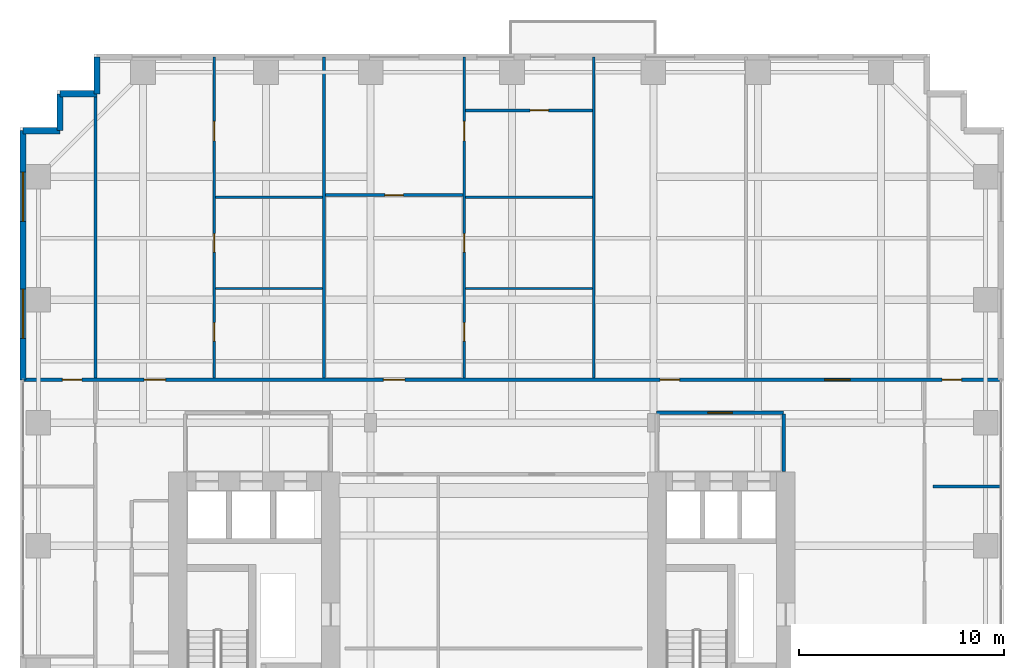
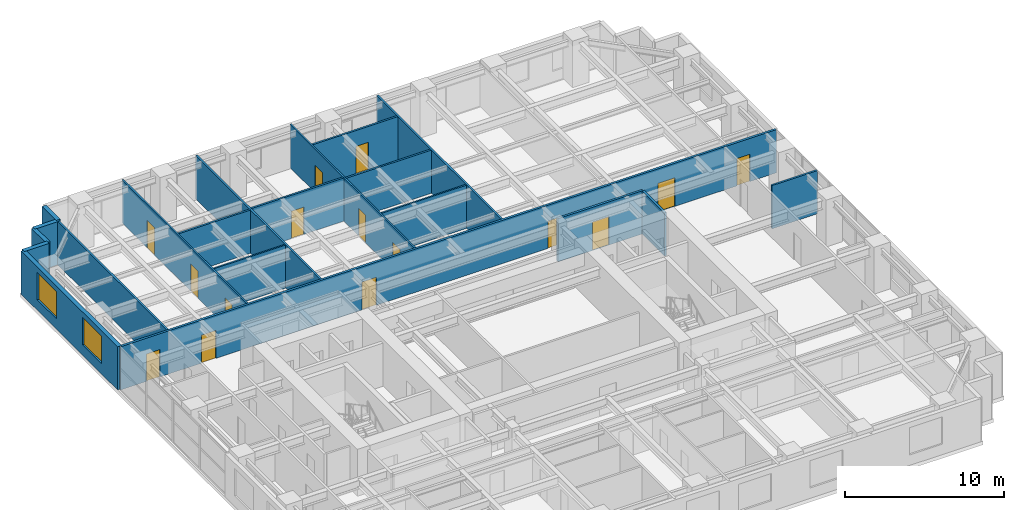
# One storey, part 14 of 19: 20 walls, 15 doors, 2 windows, 17 openings.
"""IFC4 building model written with IfcOpenShell, lengths in metres."""

from ifc_helpers import new_model, si_unit, direction, frame, frame_2d, origin, place, context, subcontext, project, spatial, rectangle, extrude, source, transform, mapped, material, layer, layer_set, type_object, element, fill, save


model = new_model("IFC4")

# Units and contexts
model_context = context("Model", 3, precision=1e-05, world=origin(), true_north=direction((0.0, 1.0)))
body_context = subcontext(model_context, "Body", "Model", "MODEL_VIEW")
ifc_project = project(units=[si_unit("LENGTHUNIT", "METRE"), si_unit("AREAUNIT", "SQUARE_METRE"), si_unit("VOLUMEUNIT", "CUBIC_METRE"), si_unit("PLANEANGLEUNIT", "RADIAN"), si_unit("MASSUNIT", "GRAM", prefix="KILO")], contexts=[model_context])

# Site, building, storey
site_placement = place(None, origin())
site = spatial("IfcSite", under=ifc_project, at=site_placement, CompositionType="ELEMENT")
building_placement = place(site_placement, origin())
building = spatial("IfcBuilding", under=site, at=building_placement, Name="Khoralis Quay Care Tower", CompositionType="ELEMENT")
storey_placement = place(building_placement, frame((0.0, 0.0, 69.300048828125)))
storey = spatial("IfcBuildingStorey", under=building, at=storey_placement, Name="L18", CompositionType="ELEMENT", Elevation=69.300048828125)

# Wall, opening, door
ifc_material_1 = material(Name="Gypsum plasterboard on acoustic metal stud")
ifc_layer_1 = layer(ifc_material_1, 0.1650390625)
ifc_layer_set_1 = layer_set([ifc_layer_1], Name="Gypsum plasterboard on acoustic metal stud")
wall_type_1 = type_object("IfcWallType", Name="WL-CORR-165", PredefinedType="PARTITIONING", material=ifc_layer_set_1)
wall_1_placement = place(storey_placement, frame((31.050048828125, 30.5, 0.0), z_axis=(0.0, 0.0, 1.0), x_axis=(1.0, 0.0, 0.0)))
wall_1 = element("IfcWall", 1, at=wall_1_placement, inside=storey, type_object=wall_type_1, Name="L18 East Lift Lobby North Wall", PredefinedType="PARTITIONING", context=body_context, shape_type="SweptSolid", body=[
    extrude(rectangle(XDim=6.199951171875, YDim=0.1650390625, at=frame_2d((3.10009765625, 0.0))), origin(), (0.0, 0.0, 1.0), 3.320068359375),
])
opening_1_placement = place(wall_1_placement, frame((2.5, 0.0, 0.0)))
opening_1 = element("IfcOpeningElement", 2, at=opening_1_placement, cuts=wall_1, Name="Opening FD1", PredefinedType="OPENING", context=body_context, shape_type="SweptSolid", body=[
    extrude(rectangle(XDim=1.199951171875, YDim=2.199951171875, at=frame_2d((0.60009765625, 1.10009765625))), frame((0.0, 0.092529296875, 0.0), z_axis=(0.0, -1.0, 0.0), x_axis=(1.0, 0.0, 0.0)), (0.0, 0.0, 1.0), 0.18505859375),
])
ifc_material_2 = material(Name="Fire-rated painted steel", Category="steel")
door_type_1 = type_object("IfcDoorType", Name="DR-FFL-1200X2200", OperationType="NOTDEFINED", PredefinedType="DOOR", material=ifc_material_2)
shared_shape_1 = source(origin(), body_context, "Body", "SweptSolid", [
    extrude(rectangle(XDim=1.199951171875, YDim=2.199951171875, at=frame_2d((0.60009765625, 1.10009765625))), frame((0.0, 0.02490234375, 0.0), z_axis=(0.0, -1.0, 0.0), x_axis=(1.0, 0.0, 0.0)), (0.0, 0.0, 1.0), 0.050048828125),
])
door_1_placement = place(opening_1_placement, origin())
door_1 = element("IfcDoor", 3, at=door_1_placement, inside=storey, type_object=door_type_1, Name="L18 East Lift Lobby Double Door", OperationType="DOUBLE_DOOR_SINGLE_SWING", OverallHeight=2.199951171875, OverallWidth=1.199951171875, PredefinedType="DOOR", context=body_context, shape_type="MappedRepresentation", body=[
    mapped(shared_shape_1, transform((0.0, 0.0, 0.0), scale=1.0)),
])
fill(opening_1, door_1)

# Wall
wall_2_placement = place(storey_placement, frame((37.25, 27.6201171875, 0.0), z_axis=(0.0, 0.0, 1.0), x_axis=(0.0, 1.0, 0.0)))
element("IfcWall", 4, at=wall_2_placement, inside=storey, type_object=wall_type_1, Name="L18 East Lift Lobby East Wall", PredefinedType="PARTITIONING", context=body_context, shape_type="SweptSolid", body=[
    extrude(rectangle(XDim=2.802490234375, YDim=0.1650390625, at=frame_2d((1.4013671875, 0.0))), origin(), (0.0, 0.0, 1.0), 3.320068359375),
])

# Wall, openings, doors
wall_3_placement = place(storey_placement, frame((0.14501953125, 32.10009765625, 0.0), z_axis=(0.0, 0.0, 1.0), x_axis=(1.0, 0.0, 0.0)))
wall_3 = element("IfcWall", 5, at=wall_3_placement, inside=storey, type_object=wall_type_1, Name="L18 North Main Corridor Wall", PredefinedType="PARTITIONING", context=body_context, shape_type="SweptSolid", body=[
    extrude(rectangle(XDim=47.7099609375, YDim=0.1650390625, at=frame_2d((23.85498046875, 0.0))), origin(), (0.0, 0.0, 1.0), 3.320068359375),
])
opening_2_placement = place(wall_3_placement, frame((5.908935546875, 0.0, 0.0)))
opening_2 = element("IfcOpeningElement", 6, at=opening_2_placement, cuts=wall_3, Name="Opening UD1", PredefinedType="OPENING", context=body_context, shape_type="SweptSolid", body=[
    extrude(rectangle(XDim=1.050048828125, YDim=2.14990234375, at=frame_2d((0.52490234375, 1.074951171875))), frame((0.0, 0.092529296875, 0.0), z_axis=(0.0, -1.0, 0.0), x_axis=(1.0, 0.0, 0.0)), (0.0, 0.0, 1.0), 0.18505859375),
])
opening_3_placement = place(wall_3_placement, frame((17.58154296875, 0.0, 0.0)))
opening_3 = element("IfcOpeningElement", 7, at=opening_3_placement, cuts=wall_3, Name="Opening UD1", PredefinedType="OPENING", context=body_context, shape_type="SweptSolid", body=[
    extrude(rectangle(XDim=1.050048828125, YDim=2.14990234375, at=frame_2d((0.52490234375, 1.074951171875))), frame((0.0, 0.092529296875, 0.0), z_axis=(0.0, -1.0, 0.0), x_axis=(1.0, 0.0, 0.0)), (0.0, 0.0, 1.0), 0.18505859375),
])
opening_4_placement = place(wall_3_placement, frame((31.0849609375, 0.0, 0.0)))
opening_4 = element("IfcOpeningElement", 8, at=opening_4_placement, cuts=wall_3, Name="Opening ID1", PredefinedType="OPENING", context=body_context, shape_type="SweptSolid", body=[
    extrude(rectangle(XDim=0.949951171875, YDim=2.10009765625, at=frame_2d((0.47509765625, 1.050048828125))), frame((0.0, 0.092529296875, 0.0), z_axis=(0.0, -1.0, 0.0), x_axis=(1.0, 0.0, 0.0)), (0.0, 0.0, 1.0), 0.18505859375),
])
opening_5_placement = place(wall_3_placement, frame((39.10009765625, 0.0, 0.0)))
opening_5 = element("IfcOpeningElement", 9, at=opening_5_placement, cuts=wall_3, Name="Opening CD1", PredefinedType="OPENING", context=body_context, shape_type="SweptSolid", body=[
    extrude(rectangle(XDim=1.25, YDim=2.199951171875, at=frame_2d((0.625, 1.10009765625))), frame((0.0, 0.092529296875, 0.0), z_axis=(0.0, -1.0, 0.0), x_axis=(1.0, 0.0, 0.0)), (0.0, 0.0, 1.0), 0.18505859375),
])
opening_6_placement = place(wall_3_placement, frame((1.919921875, 0.0, 0.0)))
opening_6 = element("IfcOpeningElement", 10, at=opening_6_placement, cuts=wall_3, Name="Opening ID1", PredefinedType="OPENING", context=body_context, shape_type="SweptSolid", body=[
    extrude(rectangle(XDim=0.949951171875, YDim=2.10009765625, at=frame_2d((0.47509765625, 1.050048828125))), frame((0.0, 0.092529296875, 0.0), z_axis=(0.0, -1.0, 0.0), x_axis=(1.0, 0.0, 0.0)), (0.0, 0.0, 1.0), 0.18505859375),
])
opening_7_placement = place(wall_3_placement, frame((44.840087890625, 0.0, 0.0)))
opening_7 = element("IfcOpeningElement", 11, at=opening_7_placement, cuts=wall_3, Name="Opening ID1", PredefinedType="OPENING", context=body_context, shape_type="SweptSolid", body=[
    extrude(rectangle(XDim=0.949951171875, YDim=2.10009765625, at=frame_2d((0.47509765625, 1.050048828125))), frame((0.0, 0.092529296875, 0.0), z_axis=(0.0, -1.0, 0.0), x_axis=(1.0, 0.0, 0.0)), (0.0, 0.0, 1.0), 0.18505859375),
])
ifc_material_3 = material(Name="Acoustic hardwood timber", Category="wood")
door_type_2 = type_object("IfcDoorType", Name="DR-CARE-1250X2200", OperationType="NOTDEFINED", PredefinedType="DOOR", material=ifc_material_3)
shared_shape_2 = source(origin(), body_context, "Body", "SweptSolid", [
    extrude(rectangle(XDim=1.25, YDim=2.199951171875, at=frame_2d((0.625, 1.10009765625))), frame((0.0, 0.02490234375, 0.0), z_axis=(0.0, -1.0, 0.0), x_axis=(1.0, 0.0, 0.0)), (0.0, 0.0, 1.0), 0.050048828125),
])
door_2_placement = place(opening_5_placement, origin())
door_2 = element("IfcDoor", 12, at=door_2_placement, inside=storey, type_object=door_type_2, Name="L18 Geriatric Consultation Clinic Door", OperationType="SINGLE_SWING_LEFT", OverallHeight=2.199951171875, OverallWidth=1.25, PredefinedType="DOOR", context=body_context, shape_type="MappedRepresentation", body=[
    mapped(shared_shape_2, transform((0.0, 0.0, 0.0), scale=1.0)),
])
fill(opening_5, door_2)
door_type_3 = type_object("IfcDoorType", Name="DR-ROOM-950X2100", OperationType="NOTDEFINED", PredefinedType="DOOR", material=ifc_material_3)
shared_shape_3 = source(origin(), body_context, "Body", "SweptSolid", [
    extrude(rectangle(XDim=0.949951171875, YDim=2.10009765625, at=frame_2d((0.47509765625, 1.050048828125))), frame((0.0, 0.02490234375, 0.0), z_axis=(0.0, -1.0, 0.0), x_axis=(1.0, 0.0, 0.0)), (0.0, 0.0, 1.0), 0.050048828125),
])
door_3_placement = place(opening_4_placement, origin())
door_3 = element("IfcDoor", 13, at=door_3_placement, inside=storey, type_object=door_type_3, Name="L18 Family Case Conference Room Door", OperationType="SINGLE_SWING_LEFT", OverallHeight=2.10009765625, OverallWidth=0.949951171875, PredefinedType="DOOR", context=body_context, shape_type="MappedRepresentation", body=[
    mapped(shared_shape_3, transform((0.0, 0.0, 0.0), scale=1.0)),
])
fill(opening_4, door_3)
door_4_placement = place(opening_6_placement, origin())
door_4 = element("IfcDoor", 14, at=door_4_placement, inside=storey, type_object=door_type_3, Name="L18 NW Corner Door", OperationType="SINGLE_SWING_RIGHT", OverallHeight=2.10009765625, OverallWidth=0.949951171875, PredefinedType="DOOR", context=body_context, shape_type="MappedRepresentation", body=[
    mapped(shared_shape_3, transform((0.0, 0.0, 0.0), scale=1.0)),
])
fill(opening_6, door_4)
door_5_placement = place(opening_7_placement, origin())
door_5 = element("IfcDoor", 15, at=door_5_placement, inside=storey, type_object=door_type_3, Name="L18 NE Corner Door", OperationType="SINGLE_SWING_LEFT", OverallHeight=2.10009765625, OverallWidth=0.949951171875, PredefinedType="DOOR", context=body_context, shape_type="MappedRepresentation", body=[
    mapped(shared_shape_3, transform((0.0, 0.0, 0.0), scale=1.0)),
])
fill(opening_7, door_5)
door_type_4 = type_object("IfcDoorType", Name="DR-SUITE-1050X2150", OperationType="NOTDEFINED", PredefinedType="DOOR", material=ifc_material_3)
shared_shape_4 = source(origin(), body_context, "Body", "SweptSolid", [
    extrude(rectangle(XDim=1.050048828125, YDim=2.14990234375, at=frame_2d((0.52490234375, 1.074951171875))), frame((0.0, 0.02490234375, 0.0), z_axis=(0.0, -1.0, 0.0), x_axis=(1.0, 0.0, 0.0)), (0.0, 0.0, 1.0), 0.050048828125),
])
door_6_placement = place(opening_2_placement, origin())
door_6 = element("IfcDoor", 16, at=door_6_placement, inside=storey, type_object=door_type_4, Name="L18 Apartment NB0 Entrance Door", OperationType="SINGLE_SWING_RIGHT", OverallHeight=2.14990234375, OverallWidth=1.050048828125, PredefinedType="DOOR", context=body_context, shape_type="MappedRepresentation", body=[
    mapped(shared_shape_4, transform((0.0, 0.0, 0.0), scale=1.0)),
])
fill(opening_2, door_6)
door_7_placement = place(opening_3_placement, origin())
door_7 = element("IfcDoor", 17, at=door_7_placement, inside=storey, type_object=door_type_4, Name="L18 Apartment NB1 Entrance Door", OperationType="SINGLE_SWING_LEFT", OverallHeight=2.14990234375, OverallWidth=1.050048828125, PredefinedType="DOOR", context=body_context, shape_type="MappedRepresentation", body=[
    mapped(shared_shape_4, transform((0.0, 0.0, 0.0), scale=1.0)),
])
fill(opening_3, door_7)

# Walls
ifc_material_4 = material(Name="Precast concrete C45/55", Category="concrete")
ifc_layer_2 = layer(ifc_material_4, 0.300048828125)
ifc_layer_set_2 = layer_set([ifc_layer_2], Name="Precast concrete C45/55")
wall_type_2 = type_object("IfcWallType", Name="WL-EXT-REF-300", PredefinedType="SOLIDWALL", material=ifc_layer_set_2)
for number, where, z_axis, x_axis, name in (
    (18, (3.75, 47.85009765625, 0.0), (0.0, 0.0, 1.0), (0.0, -1.0, 0.0), "L18 External Facade Wall WL-EXT-L18-P1-C11"),
    (19, (3.75, 46.050048828125, 0.0), (0.0, 0.0, 1.0), (-1.0, 0.0, 0.0), "L18 External Facade Wall WL-EXT-L18-P1-C12"),
    (20, (1.949951171875, 46.050048828125, 0.0), (0.0, 0.0, 1.0), (0.0, -1.0, 0.0), "L18 External Facade Wall WL-EXT-L18-P1-C13"),
    (21, (1.949951171875, 44.25, 0.0), (0.0, 0.0, 1.0), (-1.0, 0.0, 0.0), "L18 External Facade Wall WL-EXT-L18-P1-C14"),
):
    element("IfcWall", number, at=place(storey_placement, frame(where, z_axis=z_axis, x_axis=x_axis)), inside=storey, type_object=wall_type_2, Name=name, PredefinedType="SOLIDWALL", context=body_context, shape_type="SweptSolid", body=[
        extrude(rectangle(XDim=1.800048828125, YDim=0.300048828125, at=frame_2d((0.89990234375, 0.0))), origin(), (0.0, 0.0, 1.0), 3.320068359375),
    ])

# Wall, openings, windows
wall_4_placement = place(storey_placement, frame((0.14990234375, 44.25, 0.0), z_axis=(0.0, 0.0, 1.0), x_axis=(0.0, -1.0, 0.0)))
wall_4 = element("IfcWall", 22, at=wall_4_placement, inside=storey, type_object=wall_type_2, Name="L18 External Facade Wall WL-EXT-L18-P1-E15A", PredefinedType="SOLIDWALL", context=body_context, shape_type="SweptSolid", body=[
    extrude(rectangle(XDim=12.14990234375, YDim=0.300048828125, at=frame_2d((6.074951171875, 0.0))), origin(), (0.0, 0.0, 1.0), 3.320068359375),
])
opening_8_placement = place(wall_4_placement, frame((2.017578125, 0.0, 0.800048828125)))
opening_8 = element("IfcOpeningElement", 23, at=opening_8_placement, cuts=wall_4, Name="Opening W1", PredefinedType="OPENING", context=body_context, shape_type="SweptSolid", body=[
    extrude(rectangle(XDim=2.39990234375, YDim=2.10009765625, at=frame_2d((1.199951171875, 1.050048828125))), frame((0.0, 0.16015625, 0.0), z_axis=(0.0, -1.0, 0.0), x_axis=(1.0, 0.0, 0.0)), (0.0, 0.0, 1.0), 0.320068359375),
])
opening_9_placement = place(wall_4_placement, frame((7.732421875, 0.0, 0.800048828125)))
opening_9 = element("IfcOpeningElement", 24, at=opening_9_placement, cuts=wall_4, Name="Opening W1", PredefinedType="OPENING", context=body_context, shape_type="SweptSolid", body=[
    extrude(rectangle(XDim=2.39990234375, YDim=2.10009765625, at=frame_2d((1.199951171875, 1.050048828125))), frame((0.0, 0.16015625, 0.0), z_axis=(0.0, -1.0, 0.0), x_axis=(1.0, 0.0, 0.0)), (0.0, 0.0, 1.0), 0.320068359375),
])
ifc_material_5 = material(Name="Low-E solar-control double glazing", Category="glass")
window_type = type_object("IfcWindowType", Name="WN-POD-2400X2100", PartitioningType="SINGLE_PANEL", PredefinedType="WINDOW", material=ifc_material_5)
shared_shape_5 = source(origin(), body_context, "Body", "SweptSolid", [
    extrude(rectangle(XDim=2.39990234375, YDim=2.10009765625, at=frame_2d((1.199951171875, 1.050048828125))), frame((0.0, 0.030029296875, 0.0), z_axis=(0.0, -1.0, 0.0), x_axis=(1.0, 0.0, 0.0)), (0.0, 0.0, 1.0), 0.06005859375),
])
window_1_placement = place(opening_8_placement, origin())
window_1 = element("IfcWindow", 25, at=window_1_placement, inside=storey, type_object=window_type, Name="WN-L18-P1-E15A Facade Window 01", OverallHeight=2.10009765625, OverallWidth=2.39990234375, PartitioningType="SINGLE_PANEL", PredefinedType="WINDOW", context=body_context, shape_type="MappedRepresentation", body=[
    mapped(shared_shape_5, transform((0.0, 0.0, 0.0), scale=1.0)),
])
fill(opening_8, window_1)
window_2_placement = place(opening_9_placement, origin())
window_2 = element("IfcWindow", 26, at=window_2_placement, inside=storey, type_object=window_type, Name="WN-L18-P1-E15A Facade Window 02", OverallHeight=2.10009765625, OverallWidth=2.39990234375, PartitioningType="SINGLE_PANEL", PredefinedType="WINDOW", context=body_context, shape_type="MappedRepresentation", body=[
    mapped(shared_shape_5, transform((0.0, 0.0, 0.0), scale=1.0)),
])
fill(opening_9, window_2)

# Wall, openings, doors
ifc_layer_3 = layer(ifc_material_1, 0.114990234375)
ifc_layer_set_3 = layer_set([ifc_layer_3], Name="Gypsum plasterboard on acoustic metal stud")
wall_type_3 = type_object("IfcWallType", Name="WL-PART-115", PredefinedType="PARTITIONING", material=ifc_layer_set_3)
wall_5_placement = place(storey_placement, frame((9.47802734375, 32.177490234375, 0.0), z_axis=(0.0, 0.0, 1.0), x_axis=(0.0, 1.0, 0.0)))
wall_5 = element("IfcWall", 27, at=wall_5_placement, inside=storey, type_object=wall_type_3, Name="L18 Unit 0 Internal Wall", PredefinedType="PARTITIONING", context=body_context, shape_type="SweptSolid", body=[
    extrude(rectangle(XDim=15.677490234375, YDim=0.114990234375, at=frame_2d((7.8388671875, 0.0))), origin(), (0.0, 0.0, 1.0), 3.320068359375),
])
opening_10_placement = place(wall_5_placement, frame((11.574462890625, 0.0, 0.0)))
opening_10 = element("IfcOpeningElement", 28, at=opening_10_placement, cuts=wall_5, Name="Opening ID1", PredefinedType="OPENING", context=body_context, shape_type="SweptSolid", body=[
    extrude(rectangle(XDim=0.949951171875, YDim=2.10009765625, at=frame_2d((0.47509765625, 1.050048828125))), frame((0.0, 0.0673828125, 0.0), z_axis=(0.0, -1.0, 0.0), x_axis=(1.0, 0.0, 0.0)), (0.0, 0.0, 1.0), 0.135009765625),
])
opening_11_placement = place(wall_5_placement, frame((6.150390625, 0.0, 0.0)))
opening_11 = element("IfcOpeningElement", 29, at=opening_11_placement, cuts=wall_5, Name="Opening WD1", PredefinedType="OPENING", context=body_context, shape_type="SweptSolid", body=[
    extrude(rectangle(XDim=0.89990234375, YDim=2.10009765625, at=frame_2d((0.449951171875, 1.050048828125))), frame((0.0, 0.0673828125, 0.0), z_axis=(0.0, -1.0, 0.0), x_axis=(1.0, 0.0, 0.0)), (0.0, 0.0, 1.0), 0.135009765625),
])
opening_12_placement = place(wall_5_placement, frame((1.8134765625, 0.0, 0.0)))
opening_12 = element("IfcOpeningElement", 30, at=opening_12_placement, cuts=wall_5, Name="Opening WD1", PredefinedType="OPENING", context=body_context, shape_type="SweptSolid", body=[
    extrude(rectangle(XDim=0.89990234375, YDim=2.10009765625, at=frame_2d((0.449951171875, 1.050048828125))), frame((0.0, 0.0673828125, 0.0), z_axis=(0.0, -1.0, 0.0), x_axis=(1.0, 0.0, 0.0)), (0.0, 0.0, 1.0), 0.135009765625),
])
door_type_5 = type_object("IfcDoorType", Name="DR-BATH-900X2100", OperationType="NOTDEFINED", PredefinedType="DOOR", material=ifc_material_3)
shared_shape_6 = source(origin(), body_context, "Body", "SweptSolid", [
    extrude(rectangle(XDim=0.89990234375, YDim=2.10009765625, at=frame_2d((0.449951171875, 1.050048828125))), frame((0.0, 0.02490234375, 0.0), z_axis=(0.0, -1.0, 0.0), x_axis=(1.0, 0.0, 0.0)), (0.0, 0.0, 1.0), 0.050048828125),
])
door_8_placement = place(opening_11_placement, frame((0.89990234375, 0.0, 0.0), z_axis=(0.0, 0.0, 1.0), x_axis=(-1.0, 0.0, 0.0)))
door_8 = element("IfcDoor", 31, at=door_8_placement, inside=storey, type_object=door_type_5, Name="L18 Apartment NB0 KIT Door", OperationType="SINGLE_SWING_RIGHT", OverallHeight=2.10009765625, OverallWidth=0.89990234375, PredefinedType="DOOR", context=body_context, shape_type="MappedRepresentation", body=[
    mapped(shared_shape_6, transform((0.0, 0.0, 0.0), scale=1.0)),
])
fill(opening_11, door_8)
door_9_placement = place(opening_12_placement, frame((0.89990234375, 0.0, 0.0), z_axis=(0.0, 0.0, 1.0), x_axis=(-1.0, 0.0, 0.0)))
door_9 = element("IfcDoor", 32, at=door_9_placement, inside=storey, type_object=door_type_5, Name="L18 Apartment NB0 BTH Door", OperationType="SINGLE_SWING_LEFT", OverallHeight=2.10009765625, OverallWidth=0.89990234375, PredefinedType="DOOR", context=body_context, shape_type="MappedRepresentation", body=[
    mapped(shared_shape_6, transform((0.0, 0.0, 0.0), scale=1.0)),
])
fill(opening_12, door_9)
door_10_placement = place(opening_10_placement, frame((0.949951171875, 0.0, 0.0), z_axis=(0.0, 0.0, 1.0), x_axis=(-1.0, 0.0, 0.0)))
door_10 = element("IfcDoor", 33, at=door_10_placement, inside=storey, type_object=door_type_3, Name="L18 Apartment NB0 BED Door", OperationType="SINGLE_SWING_LEFT", OverallHeight=2.10009765625, OverallWidth=0.949951171875, PredefinedType="DOOR", context=body_context, shape_type="MappedRepresentation", body=[
    mapped(shared_shape_3, transform((0.0, 0.0, 0.0), scale=1.0)),
])
fill(opening_10, door_10)

# Wall
wall_6_placement = place(storey_placement, frame((9.530517578125, 36.552001953125, 0.0), z_axis=(0.0, 0.0, 1.0), x_axis=(1.0, 0.0, 0.0)))
element("IfcWall", 34, at=wall_6_placement, inside=storey, type_object=wall_type_3, Name="L18 Unit 0 Kitchen Wall", PredefinedType="PARTITIONING", context=body_context, shape_type="SweptSolid", body=[
    extrude(rectangle(XDim=5.234375, YDim=0.114990234375, at=frame_2d((2.6171875, 0.0))), origin(), (0.0, 0.0, 1.0), 3.320068359375),
])

# Wall, openings, doors
wall_7_placement = place(storey_placement, frame((21.673095703125, 32.177490234375, 0.0), z_axis=(0.0, 0.0, 1.0), x_axis=(0.0, 1.0, 0.0)))
wall_7 = element("IfcWall", 35, at=wall_7_placement, inside=storey, type_object=wall_type_3, Name="L18 Unit 1 Internal Wall", PredefinedType="PARTITIONING", context=body_context, shape_type="SweptSolid", body=[
    extrude(rectangle(XDim=15.677490234375, YDim=0.114990234375, at=frame_2d((7.8388671875, 0.0))), origin(), (0.0, 0.0, 1.0), 3.320068359375),
])
opening_13_placement = place(wall_7_placement, frame((11.574462890625, 0.0, 0.0)))
opening_13 = element("IfcOpeningElement", 36, at=opening_13_placement, cuts=wall_7, Name="Opening ID1", PredefinedType="OPENING", context=body_context, shape_type="SweptSolid", body=[
    extrude(rectangle(XDim=0.949951171875, YDim=2.10009765625, at=frame_2d((0.47509765625, 1.050048828125))), frame((0.0, 0.0673828125, 0.0), z_axis=(0.0, -1.0, 0.0), x_axis=(1.0, 0.0, 0.0)), (0.0, 0.0, 1.0), 0.135009765625),
])
opening_14_placement = place(wall_7_placement, frame((6.150390625, 0.0, 0.0)))
opening_14 = element("IfcOpeningElement", 37, at=opening_14_placement, cuts=wall_7, Name="Opening WD1", PredefinedType="OPENING", context=body_context, shape_type="SweptSolid", body=[
    extrude(rectangle(XDim=0.89990234375, YDim=2.10009765625, at=frame_2d((0.449951171875, 1.050048828125))), frame((0.0, 0.0673828125, 0.0), z_axis=(0.0, -1.0, 0.0), x_axis=(1.0, 0.0, 0.0)), (0.0, 0.0, 1.0), 0.135009765625),
])
opening_15_placement = place(wall_7_placement, frame((1.8134765625, 0.0, 0.0)))
opening_15 = element("IfcOpeningElement", 38, at=opening_15_placement, cuts=wall_7, Name="Opening WD1", PredefinedType="OPENING", context=body_context, shape_type="SweptSolid", body=[
    extrude(rectangle(XDim=0.89990234375, YDim=2.10009765625, at=frame_2d((0.449951171875, 1.050048828125))), frame((0.0, 0.0673828125, 0.0), z_axis=(0.0, -1.0, 0.0), x_axis=(1.0, 0.0, 0.0)), (0.0, 0.0, 1.0), 0.135009765625),
])
door_11_placement = place(opening_14_placement, frame((0.89990234375, 0.0, 0.0), z_axis=(0.0, 0.0, 1.0), x_axis=(-1.0, 0.0, 0.0)))
door_11 = element("IfcDoor", 39, at=door_11_placement, inside=storey, type_object=door_type_5, Name="L18 Apartment NB1 KIT Door", OperationType="SINGLE_SWING_LEFT", OverallHeight=2.10009765625, OverallWidth=0.89990234375, PredefinedType="DOOR", context=body_context, shape_type="MappedRepresentation", body=[
    mapped(shared_shape_6, transform((0.0, 0.0, 0.0), scale=1.0)),
])
fill(opening_14, door_11)
door_12_placement = place(opening_15_placement, frame((0.89990234375, 0.0, 0.0), z_axis=(0.0, 0.0, 1.0), x_axis=(-1.0, 0.0, 0.0)))
door_12 = element("IfcDoor", 40, at=door_12_placement, inside=storey, type_object=door_type_5, Name="L18 Apartment NB1 BTH Door", OperationType="SINGLE_SWING_RIGHT", OverallHeight=2.10009765625, OverallWidth=0.89990234375, PredefinedType="DOOR", context=body_context, shape_type="MappedRepresentation", body=[
    mapped(shared_shape_6, transform((0.0, 0.0, 0.0), scale=1.0)),
])
fill(opening_15, door_12)
door_13_placement = place(opening_13_placement, frame((0.949951171875, 0.0, 0.0), z_axis=(0.0, 0.0, 1.0), x_axis=(-1.0, 0.0, 0.0)))
door_13 = element("IfcDoor", 41, at=door_13_placement, inside=storey, type_object=door_type_3, Name="L18 Apartment NB1 BED Door", OperationType="SINGLE_SWING_RIGHT", OverallHeight=2.10009765625, OverallWidth=0.949951171875, PredefinedType="DOOR", context=body_context, shape_type="MappedRepresentation", body=[
    mapped(shared_shape_3, transform((0.0, 0.0, 0.0), scale=1.0)),
])
fill(opening_13, door_13)

# Walls
wall_8_placement = place(storey_placement, frame((21.7255859375, 36.552001953125, 0.0), z_axis=(0.0, 0.0, 1.0), x_axis=(1.0, 0.0, 0.0)))
element("IfcWall", 42, at=wall_8_placement, inside=storey, type_object=wall_type_3, Name="L18 Unit 1 Kitchen Wall", PredefinedType="PARTITIONING", context=body_context, shape_type="SweptSolid", body=[
    extrude(rectangle(XDim=6.199462890625, YDim=0.114990234375, at=frame_2d((3.099609375, 0.0))), origin(), (0.0, 0.0, 1.0), 3.320068359375),
])
ifc_material_6 = material(Name="Moisture-resistant gypsum and ceramic tile")
ifc_layer_4 = layer(ifc_material_6, 0.280029296875)
ifc_layer_set_4 = layer_set([ifc_layer_4], Name="Moisture-resistant gypsum and ceramic tile")
wall_type_4 = type_object("IfcWallType", Name="WL-PLUMB-280", PredefinedType="PLUMBINGWALL", material=ifc_layer_set_4)
wall_9_placement = place(storey_placement, frame((9.530517578125, 41.00390625, 0.0), z_axis=(0.0, 0.0, 1.0), x_axis=(1.0, 0.0, 0.0)))
element("IfcWall", 43, at=wall_9_placement, inside=storey, type_object=wall_type_4, Name="L18 Unit 0 Wet Wall", PredefinedType="PLUMBINGWALL", context=body_context, shape_type="SweptSolid", body=[
    extrude(rectangle(XDim=5.234375, YDim=0.139892578125, at=frame_2d((2.6171875, 0.0))), origin(), (0.0, 0.0, 1.0), 3.320068359375),
])
wall_10_placement = place(storey_placement, frame((21.7255859375, 41.00390625, 0.0), z_axis=(0.0, 0.0, 1.0), x_axis=(1.0, 0.0, 0.0)))
element("IfcWall", 44, at=wall_10_placement, inside=storey, type_object=wall_type_4, Name="L18 Unit 1 Wet Wall", PredefinedType="PLUMBINGWALL", context=body_context, shape_type="SweptSolid", body=[
    extrude(rectangle(XDim=6.199462890625, YDim=0.139892578125, at=frame_2d((3.099609375, 0.0))), origin(), (0.0, 0.0, 1.0), 3.320068359375),
])
ifc_layer_5 = layer(ifc_material_1, 0.139892578125)
ifc_layer_set_5 = layer_set([ifc_layer_5], Name="Gypsum plasterboard on acoustic metal stud")
wall_type_5 = type_object("IfcWallType", Name="WL-UNIT-140", PredefinedType="PARTITIONING", material=ifc_layer_set_5)
wall_11_placement = place(storey_placement, frame((44.5400390625, 26.89990234375, 0.0), z_axis=(0.0, 0.0, 1.0), x_axis=(1.0, 0.0, 0.0)))
element("IfcWall", 45, at=wall_11_placement, inside=storey, type_object=wall_type_5, Name="L18 EE Divider 2", PredefinedType="PARTITIONING", context=body_context, shape_type="SweptSolid", body=[
    extrude(rectangle(XDim=3.31494140625, YDim=0.139892578125, at=frame_2d((1.657470703125, 0.0))), origin(), (0.0, 0.0, 1.0), 3.320068359375),
])
wall_12_placement = place(storey_placement, frame((3.679931640625, 32.177490234375, 0.0), z_axis=(0.0, 0.0, 1.0), x_axis=(0.0, 1.0, 0.0)))
element("IfcWall", 46, at=wall_12_placement, inside=storey, type_object=wall_type_5, Name="L18 NB Demising Wall 0", PredefinedType="PARTITIONING", context=body_context, shape_type="SweptSolid", body=[
    extrude(rectangle(XDim=13.87744140625, YDim=0.139892578125, at=frame_2d((6.938720703125, 0.0))), origin(), (0.0, 0.0, 1.0), 3.320068359375),
])
for number, where, z_axis, x_axis, name in (
    (47, (14.830078125, 32.177490234375, 0.0), (0.0, 0.0, 1.0), (0.0, 1.0, 0.0), "L18 NB Demising Wall 1"),
    (48, (27.989990234375, 32.177490234375, 0.0), (0.0, 0.0, 1.0), (0.0, 1.0, 0.0), "L18 NB Demising Wall 2"),
):
    element("IfcWall", number, at=place(storey_placement, frame(where, z_axis=z_axis, x_axis=x_axis)), inside=storey, type_object=wall_type_5, Name=name, PredefinedType="PARTITIONING", context=body_context, shape_type="SweptSolid", body=[
        extrude(rectangle(XDim=15.677490234375, YDim=0.139892578125, at=frame_2d((7.8388671875, 0.0))), origin(), (0.0, 0.0, 1.0), 3.320068359375),
    ])

# Wall, opening, door
wall_13_placement = place(storey_placement, frame((14.89501953125, 41.110107421875, 0.0), z_axis=(0.0, 0.0, 1.0), x_axis=(1.0, 0.0, 0.0)))
wall_13 = element("IfcWall", 49, at=wall_13_placement, inside=storey, type_object=wall_type_5, Name="Assisted Apartment Living Room L18-NB1 Sub-Partition", PredefinedType="PARTITIONING", context=body_context, shape_type="SweptSolid", body=[
    extrude(rectangle(XDim=6.7255859375, YDim=0.139892578125, at=frame_2d((3.36279296875, 0.0))), origin(), (0.0, 0.0, 1.0), 3.320068359375),
])
opening_16_placement = place(wall_13_placement, frame((2.906494140625, 0.0, 0.0)))
opening_16 = element("IfcOpeningElement", 50, at=opening_16_placement, cuts=wall_13, Name="Opening WD1", PredefinedType="OPENING", context=body_context, shape_type="SweptSolid", body=[
    extrude(rectangle(XDim=0.89990234375, YDim=2.10009765625, at=frame_2d((0.449951171875, 1.050048828125))), frame((0.0, 0.080078125, 0.0), z_axis=(0.0, -1.0, 0.0), x_axis=(1.0, 0.0, 0.0)), (0.0, 0.0, 1.0), 0.159912109375),
])
door_14_placement = place(opening_16_placement, frame((0.89990234375, 0.0, 0.0), z_axis=(0.0, 0.0, 1.0), x_axis=(-1.0, 0.0, 0.0)))
door_14 = element("IfcDoor", 51, at=door_14_placement, inside=storey, type_object=door_type_5, Name="Daylight Sunroom Lounge LIV1 Door", OperationType="SINGLE_SWING_LEFT", OverallHeight=2.10009765625, OverallWidth=0.89990234375, PredefinedType="DOOR", context=body_context, shape_type="MappedRepresentation", body=[
    mapped(shared_shape_6, transform((0.0, 0.0, 0.0), scale=1.0)),
])
fill(opening_16, door_14)

wall_14_placement = place(storey_placement, frame((21.7255859375, 45.239990234375, 0.0), z_axis=(0.0, 0.0, 1.0), x_axis=(1.0, 0.0, 0.0)))
wall_14 = element("IfcWall", 52, at=wall_14_placement, inside=storey, type_object=wall_type_5, Name="Assisted Apartment Bedroom L18-NB1 Sub-Partition", PredefinedType="PARTITIONING", context=body_context, shape_type="SweptSolid", body=[
    extrude(rectangle(XDim=6.199462890625, YDim=0.139892578125, at=frame_2d((3.099609375, 0.0))), origin(), (0.0, 0.0, 1.0), 3.320068359375),
])
opening_17_placement = place(wall_14_placement, frame((3.156005859375, 0.0, 0.0)))
opening_17 = element("IfcOpeningElement", 53, at=opening_17_placement, cuts=wall_14, Name="Opening WD1", PredefinedType="OPENING", context=body_context, shape_type="SweptSolid", body=[
    extrude(rectangle(XDim=0.89990234375, YDim=2.10009765625, at=frame_2d((0.449951171875, 1.050048828125))), frame((0.0, 0.080078125, 0.0), z_axis=(0.0, -1.0, 0.0), x_axis=(1.0, 0.0, 0.0)), (0.0, 0.0, 1.0), 0.159912109375),
])
door_15_placement = place(opening_17_placement, frame((0.89990234375, 0.0, 0.0), z_axis=(0.0, 0.0, 1.0), x_axis=(-1.0, 0.0, 0.0)))
door_15 = element("IfcDoor", 54, at=door_15_placement, inside=storey, type_object=door_type_5, Name="Private Study & Reading Alcove BED1 Door", OperationType="SINGLE_SWING_LEFT", OverallHeight=2.10009765625, OverallWidth=0.89990234375, PredefinedType="DOOR", context=body_context, shape_type="MappedRepresentation", body=[
    mapped(shared_shape_6, transform((0.0, 0.0, 0.0), scale=1.0)),
])
fill(opening_17, door_15)

save(model, "model.ifc")
